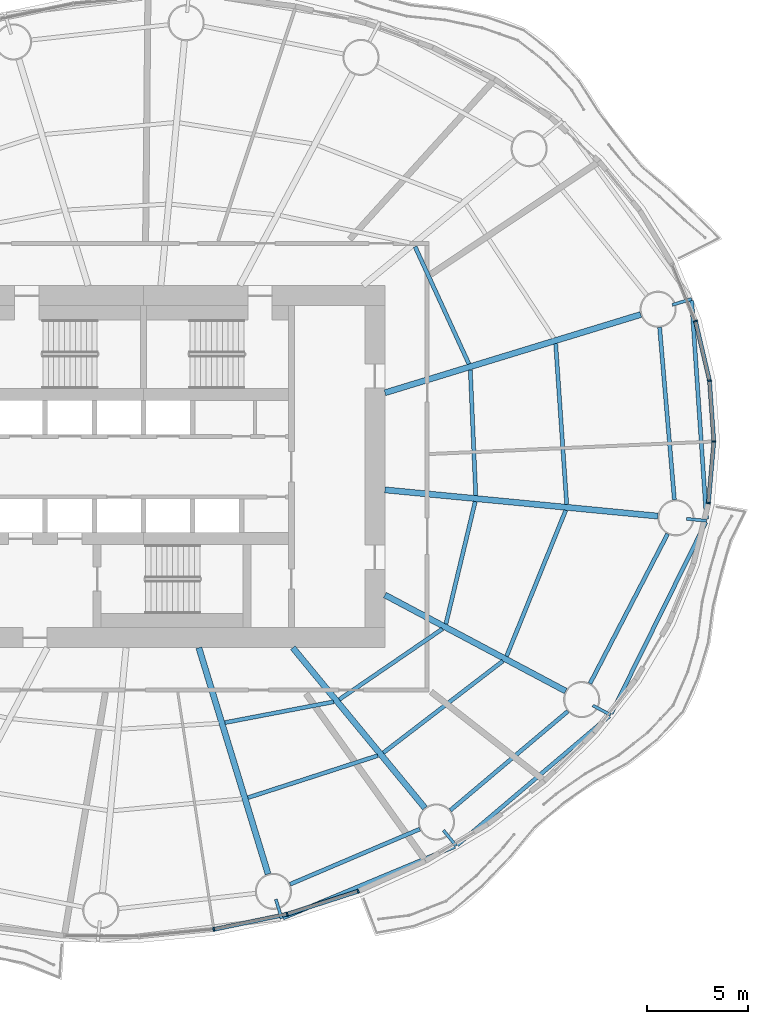
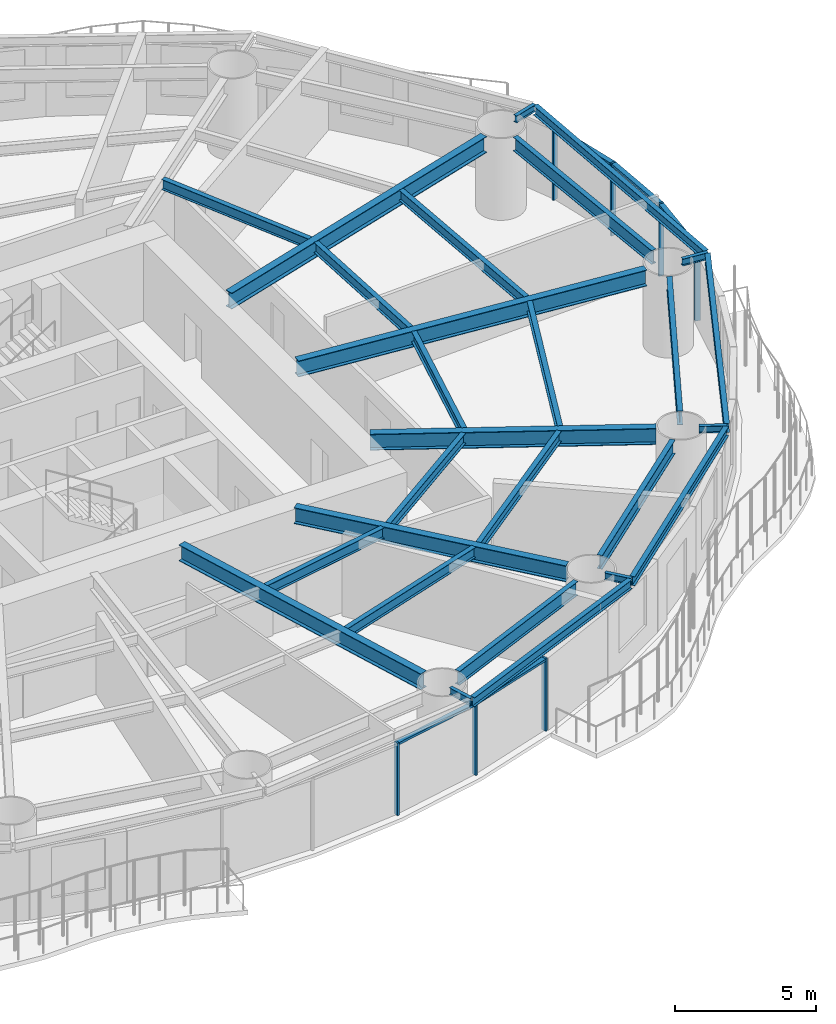
# One storey, part 4 of 16: 27 beams, 12 members, 6 elements without a shape of their own.
"""IFC4 building model written with IfcOpenShell, lengths in metres."""

from ifc_helpers import new_model, si_unit, direction, frame, origin, origin_2d, place, context, subcontext, project, spatial, rectangle, i_section, extrude, material, material_profile, profile_set, type_object, element, aggregate, save


model = new_model("IFC4")

# Units and contexts
model_context = context("Model", 3, precision=1e-05, world=origin(), true_north=direction((0.0, 1.0)))
body_context = subcontext(model_context, "Body", "Model", "MODEL_VIEW")
ifc_project = project(units=[si_unit("LENGTHUNIT", "METRE"), si_unit("AREAUNIT", "SQUARE_METRE"), si_unit("VOLUMEUNIT", "CUBIC_METRE"), si_unit("PLANEANGLEUNIT", "RADIAN"), si_unit("MASSUNIT", "GRAM", prefix="KILO")], contexts=[model_context])

# Site, building, storey
site_placement = place(None, origin())
site = spatial("IfcSite", under=ifc_project, at=site_placement, CompositionType="ELEMENT")
building_placement = place(site_placement, origin())
building = spatial("IfcBuilding", under=site, at=building_placement, Name="Vermilion Reach Broadcast Tower", CompositionType="ELEMENT")
storey_placement = place(building_placement, frame((0.0, 0.0, 69.300048828125)))
storey = spatial("IfcBuildingStorey", under=building, at=storey_placement, Name="L14", CompositionType="ELEMENT", Elevation=69.300048828125)

# Beams
ifc_material_1 = material(Name="Steel S355J2", Category="steel")
ifc_material_profile_1 = material_profile(ifc_material_1, i_section(OverallWidth=0.199951171875, OverallDepth=0.39990234375, WebThickness=0.008056640625, FlangeThickness=0.012939453125, at=origin_2d()), Name="S355J2 HN 400x200x8x13")
ifc_profile_set_1 = profile_set([ifc_material_profile_1], Name="Steel S355J2")
beam_type_1 = type_object("IfcBeamType", Name="EB1 HN 400x200x8x13", PredefinedType="BEAM", material=ifc_profile_set_1)
beam_1_placement = place(storey_placement, frame((0.940185546875, -22.4296875, 3.349853515625), z_axis=(0.923107408911, 0.384542210445, 0.0), x_axis=(-0.384542210445, 0.923107408911, 0.0)))
element("IfcBeam", 1, at=beam_1_placement, inside=storey, type_object=beam_type_1, Name="Edge beam EB1-13", PredefinedType="BEAM", context=body_context, shape_type="SweptSolid", body=[
    extrude(i_section(OverallWidth=0.199951171875, OverallDepth=0.39990234375, WebThickness=0.008056640625, FlangeThickness=0.012939453125, at=origin_2d()), origin(), (0.0, 0.0, 1.0), 9.239501953125),
])
beam_2_placement = place(storey_placement, frame((9.5986328125, -18.798095703125, 3.349853515625), z_axis=(0.76288880248, 0.646529717067, 0.0), x_axis=(-0.646529717067, 0.76288880248, 0.0)))
element("IfcBeam", 2, at=beam_2_placement, inside=storey, type_object=beam_type_1, Name="Edge beam EB1-14", PredefinedType="BEAM", context=body_context, shape_type="SweptSolid", body=[
    extrude(i_section(OverallWidth=0.199951171875, OverallDepth=0.39990234375, WebThickness=0.008056640625, FlangeThickness=0.012939453125, at=origin_2d()), origin(), (0.0, 0.0, 1.0), 9.907470703125),
])
beam_3_placement = place(storey_placement, frame((17.251708984375, -12.27294921875, 3.349853515625), z_axis=(0.443112827644, 0.896465850982, 0.0), x_axis=(-0.896465850982, 0.443112827644, 0.0)))
element("IfcBeam", 3, at=beam_3_placement, inside=storey, type_object=beam_type_1, Name="Edge beam EB1-15", PredefinedType="BEAM", context=body_context, shape_type="SweptSolid", body=[
    extrude(i_section(OverallWidth=0.199951171875, OverallDepth=0.39990234375, WebThickness=0.008056640625, FlangeThickness=0.012939453125, at=origin_2d()), origin(), (0.0, 0.0, 1.0), 10.609375),
])
beam_4_placement = place(storey_placement, frame((21.983154296875, -2.6142578125, 3.349853515625), z_axis=(-0.067736980936, 0.997703213092, 0.0), x_axis=(-0.997703213092, -0.067736980936, 0.0)))
element("IfcBeam", 4, at=beam_4_placement, inside=storey, type_object=beam_type_1, Name="Edge beam EB1-16", PredefinedType="BEAM", context=body_context, shape_type="SweptSolid", body=[
    extrude(i_section(OverallWidth=0.199951171875, OverallDepth=0.39990234375, WebThickness=0.008056640625, FlangeThickness=0.012939453125, at=origin_2d()), origin(), (0.0, 0.0, 1.0), 10.895751953125),
])
ifc_material_2 = material(Name="Steel S355J2", Category="steel")
ifc_material_profile_2 = material_profile(ifc_material_2, i_section(OverallWidth=0.300048828125, OverallDepth=0.699951171875, WebThickness=0.012939453125, FlangeThickness=0.02392578125, at=origin_2d()), Name="S355J2 HN 700x300x13x24")
ifc_profile_set_2 = profile_set([ifc_material_profile_2], Name="Steel S355J2")
beam_type_2 = type_object("IfcBeamType", Name="G1 HN 700x300x13x24", PredefinedType="BEAM", material=ifc_profile_set_2)
beam_5_placement = place(storey_placement, frame((6.0, 3.671142578125, 3.199951171875), z_axis=(0.956255735186, 0.292531996409, 0.0), x_axis=(-0.292531996409, 0.956255735186, 0.0)))
element("IfcBeam", 5, at=beam_5_placement, inside=storey, type_object=beam_type_2, Name="Girder G1-01", PredefinedType="BEAM", context=body_context, shape_type="SweptSolid", body=[
    extrude(i_section(OverallWidth=0.300048828125, OverallDepth=0.699951171875, WebThickness=0.012939453125, FlangeThickness=0.02392578125, at=origin_2d()), origin(), (0.0, 0.0, 1.0), 13.29638671875),
])
beam_6_placement = place(storey_placement, frame((-3.246826171875, -9.0, 3.199951171875), z_axis=(0.292542302886, -0.95625258223, 0.0), x_axis=(0.95625258223, 0.292542302886, 0.0)))
element("IfcBeam", 6, at=beam_6_placement, inside=storey, type_object=beam_type_2, Name="Girder G1-13", PredefinedType="BEAM", context=body_context, shape_type="SweptSolid", body=[
    extrude(i_section(OverallWidth=0.300048828125, OverallDepth=0.699951171875, WebThickness=0.012939453125, FlangeThickness=0.02392578125, at=origin_2d()), origin(), (0.0, 0.0, 1.0), 11.76220703125),
])
beam_7_placement = place(storey_placement, frame((1.421630859375, -9.0, 3.199951171875), z_axis=(0.636215165107, -0.77151167437, 0.0), x_axis=(0.77151167437, 0.636215165107, 0.0)))
element("IfcBeam", 7, at=beam_7_placement, inside=storey, type_object=beam_type_2, Name="Girder G1-14", PredefinedType="BEAM", context=body_context, shape_type="SweptSolid", body=[
    extrude(i_section(OverallWidth=0.300048828125, OverallDepth=0.699951171875, WebThickness=0.012939453125, FlangeThickness=0.02392578125, at=origin_2d()), origin(), (0.0, 0.0, 1.0), 10.3251953125),
])
beam_8_placement = place(storey_placement, frame((6.0, -6.3779296875, 3.199951171875), z_axis=(0.883032139419, -0.469312519279, 0.0), x_axis=(0.469312519279, 0.883032139419, 0.0)))
element("IfcBeam", 8, at=beam_8_placement, inside=storey, type_object=beam_type_2, Name="Girder G1-15", PredefinedType="BEAM", context=body_context, shape_type="SweptSolid", body=[
    extrude(i_section(OverallWidth=0.300048828125, OverallDepth=0.699951171875, WebThickness=0.012939453125, FlangeThickness=0.02392578125, at=origin_2d()), origin(), (0.0, 0.0, 1.0), 10.17529296875),
])
beam_9_placement = place(storey_placement, frame((6.0, -1.1533203125, 3.199951171875), z_axis=(0.995412178872, -0.095679643363, 0.0), x_axis=(0.095679643363, 0.995412178872, 0.0)))
element("IfcBeam", 9, at=beam_9_placement, inside=storey, type_object=beam_type_2, Name="Girder G1-16", PredefinedType="BEAM", context=body_context, shape_type="SweptSolid", body=[
    extrude(i_section(OverallWidth=0.300048828125, OverallDepth=0.699951171875, WebThickness=0.012939453125, FlangeThickness=0.02392578125, at=origin_2d()), origin(), (0.0, 0.0, 1.0), 13.630859375),
])
ifc_material_3 = material(Name="Steel S355J2", Category="steel")
ifc_material_profile_3 = material_profile(ifc_material_3, i_section(OverallWidth=0.14990234375, OverallDepth=0.300048828125, WebThickness=0.006591796875, FlangeThickness=0.009033203125, at=origin_2d()), Name="S355J2 HN 300x150x6.5x9")
ifc_profile_set_3 = profile_set([ifc_material_profile_3], Name="Steel S355J2")
beam_type_3 = type_object("IfcBeamType", Name="GS1 HN 300x150x6.5x9", PredefinedType="BEAM", material=ifc_profile_set_3)
for number, where, z_axis, x_axis, name in (
    (10, (20.28369140625, 8.040771484375, 3.39990234375), (0.956252944025, 0.292541120261, 0.0), (-0.292541120261, 0.956252944025, 0.0), "Cantilever stub GS1-01"),
    (11, (0.578125, -21.50244140625, 3.39990234375), (0.292541120261, -0.956252944025, 0.0), (0.956252944025, 0.292541120261, 0.0), "Cantilever stub GS1-13"),
):
    element("IfcBeam", number, at=place(storey_placement, frame(where, z_axis=z_axis, x_axis=x_axis)), inside=storey, type_object=beam_type_3, Name=name, PredefinedType="BEAM", context=body_context, shape_type="SweptSolid", body=[
        extrude(i_section(OverallWidth=0.14990234375, OverallDepth=0.300048828125, WebThickness=0.006591796875, FlangeThickness=0.009033203125, at=origin_2d()), origin(), (0.0, 0.0, 1.0), 0.999755859375),
    ])
for number, where, z_axis, x_axis, name in (
    (12, (8.9052734375, -18.0751953125, 3.39990234375), (0.636237674108, -0.771493112118, 0.0), (0.771493112118, 0.636237674108, 0.0), "Cantilever stub GS1-14"),
    (13, (16.33544921875, -11.870849609375, 3.39990234375), (0.882967123333, -0.469434829463, 0.0), (0.469434829463, 0.882967123333, 0.0), "Cantilever stub GS1-15"),
    (14, (20.992919921875, -2.594482421875, 3.39990234375), (0.995432707577, -0.095465829939, 0.0), (0.095465829939, 0.995432707577, 0.0), "Cantilever stub GS1-16"),
):
    element("IfcBeam", number, at=place(storey_placement, frame(where, z_axis=z_axis, x_axis=x_axis)), inside=storey, type_object=beam_type_3, Name=name, PredefinedType="BEAM", context=body_context, shape_type="SweptSolid", body=[
        extrude(i_section(OverallWidth=0.14990234375, OverallDepth=0.300048828125, WebThickness=0.006591796875, FlangeThickness=0.009033203125, at=origin_2d()), origin(), (0.0, 0.0, 1.0), 1.0),
    ])
ifc_material_4 = material(Name="Steel S355J2", Category="steel")
ifc_material_profile_4 = material_profile(ifc_material_4, i_section(OverallWidth=0.199951171875, OverallDepth=0.60009765625, WebThickness=0.010986328125, FlangeThickness=0.01708984375, at=origin_2d()), Name="S355J2 HN 600x200x11x17")
ifc_profile_set_4 = profile_set([ifc_material_profile_4], Name="Steel S355J2")
beam_type_4 = type_object("IfcBeamType", Name="RB1 HN 600x200x11x17", PredefinedType="BEAM", material=ifc_profile_set_4)
beam_10_placement = place(storey_placement, frame((1.28564453125, -20.755859375, 3.25), z_axis=(0.920220846584, 0.391399531825, 0.0), x_axis=(-0.391399531825, 0.920220846584, 0.0)))
element("IfcBeam", 15, at=beam_10_placement, inside=storey, type_object=beam_type_4, Name="Ring beam RB1-13", PredefinedType="BEAM", context=body_context, shape_type="SweptSolid", body=[
    extrude(i_section(OverallWidth=0.199951171875, OverallDepth=0.60009765625, WebThickness=0.010986328125, FlangeThickness=0.01708984375, at=origin_2d()), origin(), (0.0, 0.0, 1.0), 7.008544921875),
])
beam_11_placement = place(storey_placement, frame((9.251220703125, -17.080322265625, 3.25), z_axis=(0.764512441084, 0.6446089725, 0.0), x_axis=(-0.6446089725, 0.764512441084, 0.0)))
element("IfcBeam", 16, at=beam_11_placement, inside=storey, type_object=beam_type_4, Name="Ring beam RB1-14", PredefinedType="BEAM", context=body_context, shape_type="SweptSolid", body=[
    extrude(i_section(OverallWidth=0.199951171875, OverallDepth=0.60009765625, WebThickness=0.010986328125, FlangeThickness=0.01708984375, at=origin_2d()), origin(), (0.0, 0.0, 1.0), 7.6396484375),
])
beam_12_placement = place(storey_placement, frame((16.194091796875, -10.776611328125, 3.25), z_axis=(0.460411617218, 0.887705549566, 0.0), x_axis=(-0.887705549566, 0.460411617218, 0.0)))
element("IfcBeam", 17, at=beam_12_placement, inside=storey, type_object=beam_type_4, Name="Ring beam RB1-15", PredefinedType="BEAM", context=body_context, shape_type="SweptSolid", body=[
    extrude(i_section(OverallWidth=0.199951171875, OverallDepth=0.60009765625, WebThickness=0.010986328125, FlangeThickness=0.01708984375, at=origin_2d()), origin(), (0.0, 0.0, 1.0), 8.37451171875),
])
beam_13_placement = place(storey_placement, frame((20.38720703125, -1.646728515625, 3.25), z_axis=(-0.085395508608, 0.996347131832, 0.0), x_axis=(-0.996347131832, -0.085395508608, 0.0)))
element("IfcBeam", 18, at=beam_13_placement, inside=storey, type_object=beam_type_4, Name="Ring beam RB1-16", PredefinedType="BEAM", context=body_context, shape_type="SweptSolid", body=[
    extrude(i_section(OverallWidth=0.199951171875, OverallDepth=0.60009765625, WebThickness=0.010986328125, FlangeThickness=0.01708984375, at=origin_2d()), origin(), (0.0, 0.0, 1.0), 8.60546875),
])
ifc_material_5 = material(Name="Steel S355J2", Category="steel")
ifc_material_profile_5 = material_profile(ifc_material_5, i_section(OverallWidth=0.199951171875, OverallDepth=0.449951171875, WebThickness=0.009033203125, FlangeThickness=0.013916015625, at=origin_2d()), Name="S355J2 HN 450x200x9x14")
ifc_profile_set_5 = profile_set([ifc_material_profile_5], Name="Steel S355J2")
beam_type_5 = type_object("IfcBeamType", Name="SB1 HN 450x200x9x14", PredefinedType="BEAM", material=ifc_profile_set_5)
beam_14_placement = place(storey_placement, frame((10.175048828125, 5.105224609375, 3.324951171875), z_axis=(-0.417211452529, 0.908809443106, 0.0), x_axis=(-0.908809443106, -0.417211452529, 0.0)))
element("IfcBeam", 19, at=beam_14_placement, inside=storey, type_object=beam_type_5, Name="Secondary beam SB1-01-1", PredefinedType="BEAM", context=body_context, shape_type="SweptSolid", body=[
    extrude(i_section(OverallWidth=0.199951171875, OverallDepth=0.449951171875, WebThickness=0.009033203125, FlangeThickness=0.013916015625, at=origin_2d()), origin(), (0.0, 0.0, 1.0), 6.41650390625),
])
beam_15_placement = place(storey_placement, frame((-1.95166015625, -12.720703125, 3.324951171875), z_axis=(0.982151348822, 0.188092339045, 0.0), x_axis=(-0.188092339045, 0.982151348822, 0.0)))
element("IfcBeam", 20, at=beam_15_placement, inside=storey, type_object=beam_type_5, Name="Secondary beam SB1-13-1", PredefinedType="BEAM", context=body_context, shape_type="SweptSolid", body=[
    extrude(i_section(OverallWidth=0.199951171875, OverallDepth=0.449951171875, WebThickness=0.009033203125, FlangeThickness=0.013916015625, at=origin_2d()), origin(), (0.0, 0.0, 1.0), 5.4931640625),
])
beam_16_placement = place(storey_placement, frame((-0.81005859375, -16.4521484375, 3.324951171875), z_axis=(0.951332300844, 0.308166924523, 0.0), x_axis=(-0.308166924523, 0.951332300844, 0.0)))
element("IfcBeam", 21, at=beam_16_placement, inside=storey, type_object=beam_type_5, Name="Secondary beam SB1-13-2", PredefinedType="BEAM", context=body_context, shape_type="SweptSolid", body=[
    extrude(i_section(OverallWidth=0.199951171875, OverallDepth=0.449951171875, WebThickness=0.009033203125, FlangeThickness=0.013916015625, at=origin_2d()), origin(), (0.0, 0.0, 1.0), 6.787841796875),
])
beam_17_placement = place(storey_placement, frame((3.735595703125, -11.5703125, 3.324951171875), z_axis=(0.825140253447, 0.564927926502, 0.0), x_axis=(-0.564927926502, 0.825140253447, 0.0)))
element("IfcBeam", 22, at=beam_17_placement, inside=storey, type_object=beam_type_5, Name="Secondary beam SB1-14-1", PredefinedType="BEAM", context=body_context, shape_type="SweptSolid", body=[
    extrude(i_section(OverallWidth=0.199951171875, OverallDepth=0.449951171875, WebThickness=0.009033203125, FlangeThickness=0.013916015625, at=origin_2d()), origin(), (0.0, 0.0, 1.0), 6.20458984375),
])
beam_18_placement = place(storey_placement, frame((5.920166015625, -14.21923828125, 3.324951171875), z_axis=(0.793349617473, 0.60876628065, 0.0), x_axis=(-0.60876628065, 0.793349617473, 0.0)))
element("IfcBeam", 23, at=beam_18_placement, inside=storey, type_object=beam_type_5, Name="Secondary beam SB1-14-2", PredefinedType="BEAM", context=body_context, shape_type="SweptSolid", body=[
    extrude(i_section(OverallWidth=0.199951171875, OverallDepth=0.449951171875, WebThickness=0.009033203125, FlangeThickness=0.013916015625, at=origin_2d()), origin(), (0.0, 0.0, 1.0), 7.486328125),
])
beam_19_placement = place(storey_placement, frame((9.031005859375, -7.81884765625, 3.324951171875), z_axis=(0.232844467589, 0.972513986487, 0.0), x_axis=(-0.972513986487, 0.232844467589, 0.0)))
element("IfcBeam", 24, at=beam_19_placement, inside=storey, type_object=beam_type_5, Name="Secondary beam SB1-15-1", PredefinedType="BEAM", context=body_context, shape_type="SweptSolid", body=[
    extrude(i_section(OverallWidth=0.199951171875, OverallDepth=0.449951171875, WebThickness=0.009033203125, FlangeThickness=0.013916015625, at=origin_2d()), origin(), (0.0, 0.0, 1.0), 6.25537109375),
])
beam_20_placement = place(storey_placement, frame((12.046630859375, -9.421630859375, 3.324951171875), z_axis=(0.375640669938, 0.926765389453, 0.0), x_axis=(-0.926765389453, 0.375640669938, 0.0)))
element("IfcBeam", 25, at=beam_20_placement, inside=storey, type_object=beam_type_5, Name="Secondary beam SB1-15-2", PredefinedType="BEAM", context=body_context, shape_type="SweptSolid", body=[
    extrude(i_section(OverallWidth=0.199951171875, OverallDepth=0.449951171875, WebThickness=0.009033203125, FlangeThickness=0.013916015625, at=origin_2d()), origin(), (0.0, 0.0, 1.0), 7.8271484375),
])
beam_21_placement = place(storey_placement, frame((10.51611328125, -1.436767578125, 3.324951171875), z_axis=(-0.043361007512, 0.999059469215, 0.0), x_axis=(-0.999059469215, -0.043361007512, 0.0)))
element("IfcBeam", 26, at=beam_21_placement, inside=storey, type_object=beam_type_5, Name="Secondary beam SB1-16-1", PredefinedType="BEAM", context=body_context, shape_type="SweptSolid", body=[
    extrude(i_section(OverallWidth=0.199951171875, OverallDepth=0.449951171875, WebThickness=0.009033203125, FlangeThickness=0.013916015625, at=origin_2d()), origin(), (0.0, 0.0, 1.0), 6.25537109375),
])
beam_22_placement = place(storey_placement, frame((15.03515625, -1.87109375, 3.324951171875), z_axis=(-0.068507801475, 0.997650580683, 0.0), x_axis=(-0.997650580683, -0.068507801475, 0.0)))
element("IfcBeam", 27, at=beam_22_placement, inside=storey, type_object=beam_type_5, Name="Secondary beam SB1-16-2", PredefinedType="BEAM", context=body_context, shape_type="SweptSolid", body=[
    extrude(i_section(OverallWidth=0.199951171875, OverallDepth=0.449951171875, WebThickness=0.009033203125, FlangeThickness=0.013916015625, at=origin_2d()), origin(), (0.0, 0.0, 1.0), 8.00048828125),
])

# Curtain wall, member
ifc_material_6 = material(Name="Low-e laminated clear glass in aluminium frame", Category="aluminium")
curtain_wall_type = type_object("IfcCurtainWallType", Name="Slot curtain wall", PredefinedType="NOTDEFINED", material=ifc_material_6)
placement = place(storey_placement, origin())
curtain_wall_1 = element("IfcCurtainWall", 28, at=placement, inside=storey, type_object=curtain_wall_type, Name="Slot curtain wall L14 46", PredefinedType="NOTDEFINED")
ifc_material_7 = material(Name="Anodised aluminium", Category="aluminium")
ifc_material_profile_6 = material_profile(ifc_material_7, rectangle(XDim=0.199951171875, YDim=0.080078125, at=origin_2d()), Name="Slot mullion 80 x 200")
ifc_profile_set_6 = profile_set([ifc_material_profile_6], Name="Anodised aluminium")
member_type_1 = type_object("IfcMemberType", Name="Slot mullion 80 x 200", PredefinedType="MULLION", material=ifc_profile_set_6)
member_1_placement = place(storey_placement, frame((22.078369140625, -1.807373046875, 0.0), z_axis=(0.0, 0.0, 1.0), x_axis=(-0.986476712785, 0.163901479957, 0.0)))
member_1 = element("IfcMember", 29, at=member_1_placement, type_object=member_type_1, Name="Slot mullion L14 46", PredefinedType="MULLION", context=body_context, shape_type="SweptSolid", body=[
    extrude(rectangle(XDim=0.199951171875, YDim=0.080078125, at=origin_2d()), origin(), (0.0, 0.0, 1.0), 3.14990234375),
])

curtain_wall_2 = element("IfcCurtainWall", 30, at=placement, inside=storey, type_object=curtain_wall_type, Name="Slot curtain wall L14 47", PredefinedType="NOTDEFINED")
member_2_placement = place(storey_placement, frame((22.345703125, 1.24462890625, 0.0), z_axis=(0.0, 0.0, 1.0), x_axis=(-0.999966516297, 0.008183293059, 0.0)))
member_2 = element("IfcMember", 31, at=member_2_placement, type_object=member_type_1, Name="Slot mullion L14 47", PredefinedType="MULLION", context=body_context, shape_type="SweptSolid", body=[
    extrude(rectangle(XDim=0.199951171875, YDim=0.080078125, at=origin_2d()), origin(), (0.0, 0.0, 1.0), 3.14990234375),
])

curtain_wall_3 = element("IfcCurtainWall", 32, at=placement, inside=storey, type_object=curtain_wall_type, Name="Slot curtain wall L14 00", PredefinedType="NOTDEFINED")
member_3_placement = place(storey_placement, frame((22.13037109375, 4.2744140625, 0.0), z_axis=(0.0, 0.0, 1.0), x_axis=(-0.988651749958, -0.150225554766, 0.0)))
member_3 = element("IfcMember", 33, at=member_3_placement, type_object=member_type_1, Name="Slot mullion L14 00", PredefinedType="MULLION", context=body_context, shape_type="SweptSolid", body=[
    extrude(rectangle(XDim=0.199951171875, YDim=0.080078125, at=origin_2d()), origin(), (0.0, 0.0, 1.0), 3.14990234375),
])

curtain_wall_4 = element("IfcCurtainWall", 34, at=placement, inside=storey, type_object=curtain_wall_type, Name="Slot curtain wall L14 01", PredefinedType="NOTDEFINED")
member_4_placement = place(storey_placement, frame((21.43603515625, 7.2314453125, 0.0), z_axis=(0.0, 0.0, 1.0), x_axis=(-0.952401795193, -0.304845568302, 0.0)))
member_4 = element("IfcMember", 35, at=member_4_placement, type_object=member_type_1, Name="Slot mullion L14 01", PredefinedType="MULLION", context=body_context, shape_type="SweptSolid", body=[
    extrude(rectangle(XDim=0.199951171875, YDim=0.080078125, at=origin_2d()), origin(), (0.0, 0.0, 1.0), 3.14990234375),
])
aggregate(curtain_wall_4, [member_4])

curtain_wall_5 = element("IfcCurtainWall", 36, at=placement, inside=storey, type_object=curtain_wall_type, Name="Slot curtain wall L14 36", PredefinedType="NOTDEFINED")
member_5_placement = place(storey_placement, frame((-2.505615234375, -22.99755859375, 0.0), z_axis=(0.0, 0.0, 1.0), x_axis=(-0.150225639679, 0.988651737056, 0.0)))
member_5 = element("IfcMember", 37, at=member_5_placement, type_object=member_type_1, Name="Slot mullion L14 36", PredefinedType="MULLION", context=body_context, shape_type="SweptSolid", body=[
    extrude(rectangle(XDim=0.199951171875, YDim=0.080078125, at=origin_2d()), origin(), (0.0, 0.0, 1.0), 3.14990234375),
])

# Curtain wall, members
curtain_wall_6 = element("IfcCurtainWall", 38, at=placement, inside=storey, type_object=curtain_wall_type, Name="Slot curtain wall L14 37", PredefinedType="NOTDEFINED")
member_6_placement = place(storey_placement, frame((1.14306640625, -22.2412109375, 0.0), z_axis=(0.0, 0.0, 1.0), x_axis=(-0.255546020951, 0.966796892411, 0.0)))
member_6 = element("IfcMember", 39, at=member_6_placement, type_object=member_type_1, Name="Slot mullion L14 37", PredefinedType="MULLION", context=body_context, shape_type="SweptSolid", body=[
    extrude(rectangle(XDim=0.199951171875, YDim=0.080078125, at=origin_2d()), origin(), (0.0, 0.0, 1.0), 3.14990234375),
])
member_7_placement = place(storey_placement, frame((4.668701171875, -21.1025390625, 0.0), z_axis=(0.0, 0.0, 1.0), x_axis=(-0.359035824318, 0.933323779219, 0.0)))
member_7 = element("IfcMember", 40, at=member_7_placement, type_object=member_type_1, Name="Slot mullion L14 38", PredefinedType="MULLION", context=body_context, shape_type="SweptSolid", body=[
    extrude(rectangle(XDim=0.199951171875, YDim=0.080078125, at=origin_2d()), origin(), (0.0, 0.0, 1.0), 3.14990234375),
])

# Member
ifc_material_8 = material(Name="Anodised aluminium", Category="aluminium")
ifc_material_profile_7 = material_profile(ifc_material_8, rectangle(XDim=0.199951171875, YDim=0.10009765625, at=origin_2d()), Name="Slot transom 200 x 100")
ifc_profile_set_7 = profile_set([ifc_material_profile_7], Name="Anodised aluminium")
member_type_2 = type_object("IfcMemberType", Name="Slot transom 200 x 100", PredefinedType="USERDEFINED", material=ifc_profile_set_7)
member_8_placement = place(storey_placement, frame((22.08203125, -1.767578125, 3.099853515625), z_axis=(0.087229885855, 0.99618820863, 0.0), x_axis=(-0.99618820863, 0.087229885855, 0.0)))
member_8 = element("IfcMember", 41, at=member_8_placement, type_object=member_type_2, Name="Slot transom L14 46.1", ObjectType="TRANSOM", PredefinedType="USERDEFINED", context=body_context, shape_type="SweptSolid", body=[
    extrude(rectangle(XDim=0.199951171875, YDim=0.10009765625, at=origin_2d()), origin(), (0.0, 0.0, 1.0), 2.983642578125),
])

aggregate(curtain_wall_1, [member_1, member_8])

member_9_placement = place(storey_placement, frame((22.3427734375, 1.284423828125, 3.099853515625), z_axis=(-0.070912645276, 0.997482529541, 0.0), x_axis=(-0.997482529541, -0.070912645276, 0.0)))
member_9 = element("IfcMember", 42, at=member_9_placement, type_object=member_type_2, Name="Slot transom L14 47.1", ObjectType="TRANSOM", PredefinedType="USERDEFINED", context=body_context, shape_type="SweptSolid", body=[
    extrude(rectangle(XDim=0.199951171875, YDim=0.10009765625, at=origin_2d()), origin(), (0.0, 0.0, 1.0), 2.957275390625),
])

aggregate(curtain_wall_2, [member_2, member_9])

member_10_placement = place(storey_placement, frame((22.12109375, 4.313232421875, 3.099853515625), z_axis=(-0.228565420585, 0.973528555571, 0.0), x_axis=(-0.973528555571, -0.228565420585, 0.0)))
member_10 = element("IfcMember", 43, at=member_10_placement, type_object=member_type_2, Name="Slot transom L14 00.1", ObjectType="TRANSOM", PredefinedType="USERDEFINED", context=body_context, shape_type="SweptSolid", body=[
    extrude(rectangle(XDim=0.199951171875, YDim=0.10009765625, at=origin_2d()), origin(), (0.0, 0.0, 1.0), 2.957763671875),
])

aggregate(curtain_wall_3, [member_3, member_10])

member_11_placement = place(storey_placement, frame((-2.46630859375, -22.989501953125, 3.099853515625), z_axis=(0.97917604709, 0.20301297694, 0.0), x_axis=(-0.20301297694, 0.97917604709, 0.0)))
member_11 = element("IfcMember", 44, at=member_11_placement, type_object=member_type_2, Name="Slot transom L14 36.1", ObjectType="TRANSOM", PredefinedType="USERDEFINED", context=body_context, shape_type="SweptSolid", body=[
    extrude(rectangle(XDim=0.199951171875, YDim=0.10009765625, at=origin_2d()), origin(), (0.0, 0.0, 1.0), 3.646240234375),
])

aggregate(curtain_wall_5, [member_5, member_11])

member_12_placement = place(storey_placement, frame((1.18115234375, -22.228759765625, 3.099853515625), z_axis=(0.951605092967, 0.307323521779, 0.0), x_axis=(-0.307323521779, 0.951605092967, 0.0)))
member_12 = element("IfcMember", 45, at=member_12_placement, type_object=member_type_2, Name="Slot transom L14 37.1", ObjectType="TRANSOM", PredefinedType="USERDEFINED", context=body_context, shape_type="SweptSolid", body=[
    extrude(rectangle(XDim=0.199951171875, YDim=0.10009765625, at=origin_2d()), origin(), (0.0, 0.0, 1.0), 3.625),
])

aggregate(curtain_wall_6, [member_6, member_7, member_12])

save(model, "model.ifc")
